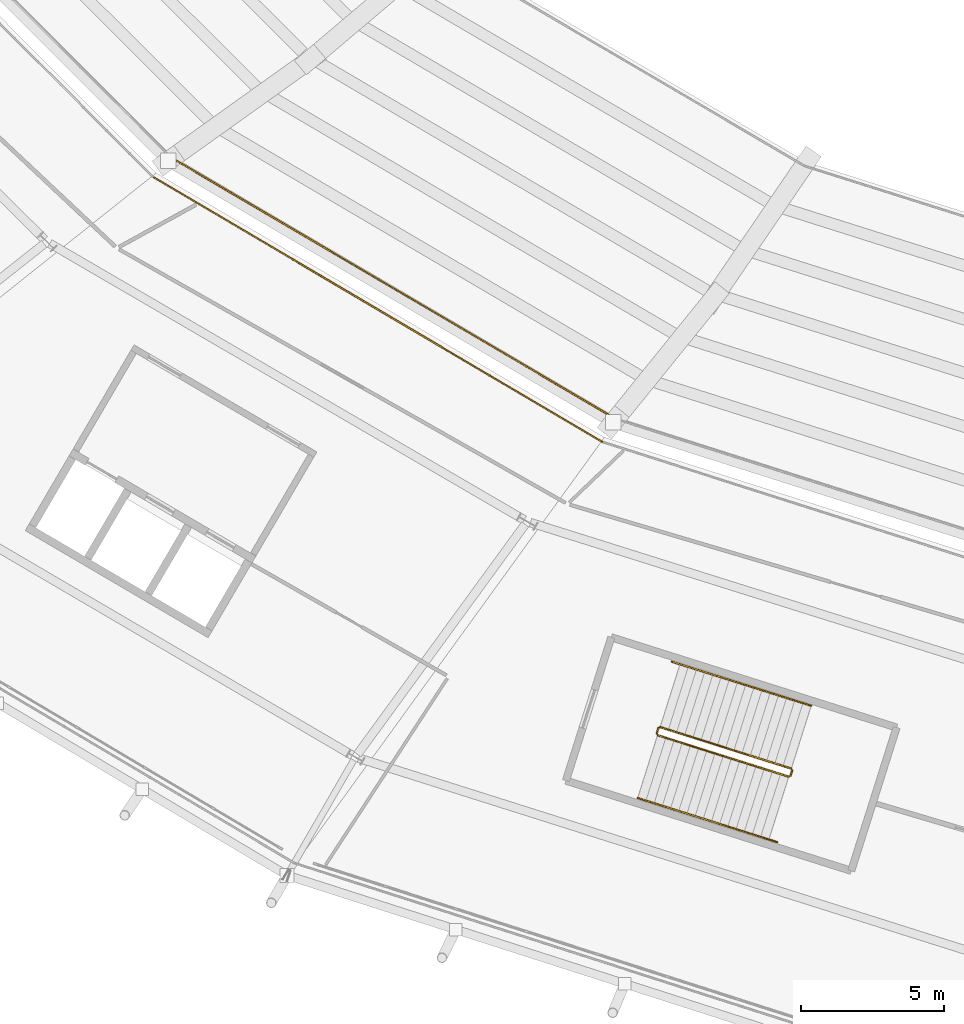
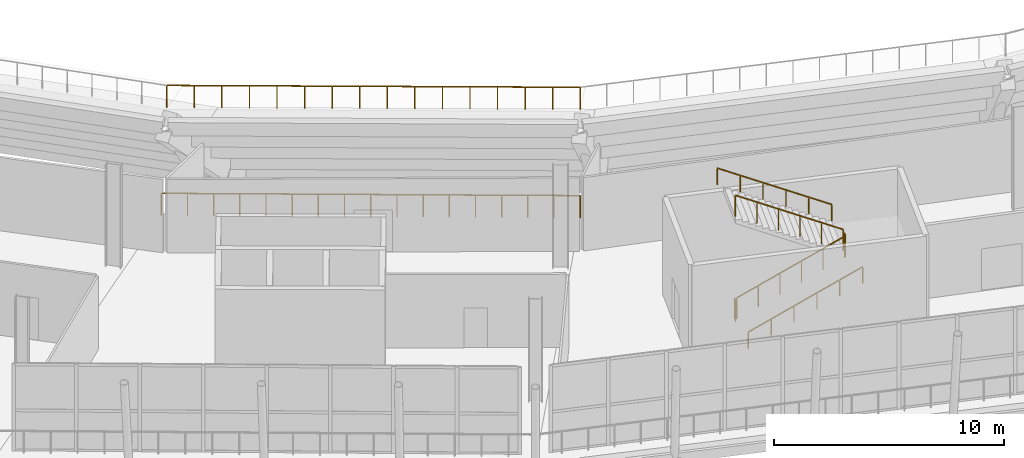
# One storey, part 109 of 126: 8 railings.
"""IFC4 building model written with IfcOpenShell, lengths in metres."""

from ifc_helpers import new_model, si_unit, direction, frame, origin, origin_2d, place, context, subcontext, project, spatial, rectangle, extrude, material, type_object, element, save


model = new_model("IFC4")

# Units and contexts
model_context = context("Model", 3, precision=1e-05, world=origin(), true_north=direction((0.0, 1.0)))
body_context = subcontext(model_context, "Body", "Model", "MODEL_VIEW")
ifc_project = project(units=[si_unit("LENGTHUNIT", "METRE"), si_unit("AREAUNIT", "SQUARE_METRE"), si_unit("VOLUMEUNIT", "CUBIC_METRE"), si_unit("PLANEANGLEUNIT", "RADIAN"), si_unit("MASSUNIT", "GRAM", prefix="KILO")], contexts=[model_context])

# Site, building, storey
site_placement = place(None, origin())
site = spatial("IfcSite", under=ifc_project, at=site_placement, CompositionType="ELEMENT")
building_placement = place(site_placement, origin())
building = spatial("IfcBuilding", under=site, at=building_placement, Name="Zlatoyarsky Gate Stadium", CompositionType="ELEMENT")
storey_placement = place(building_placement, frame((0.0, 0.0, 20.800048828125)))
storey = spatial("IfcBuildingStorey", under=building, at=storey_placement, Name="L04", CompositionType="ELEMENT", Elevation=20.800048828125)

# Railings
ifc_material_1 = material(Name="Powder-coated steel tubular guardrail", Category="steel")
railing_type_1 = type_object("IfcRailingType", Name="CONCOURSE SLAB EDGE GUARDRAIL 1200", PredefinedType="GUARDRAIL", material=ifc_material_1)
railing_1_placement = place(storey_placement, frame((58.072998046875, 39.447509765625, 5.099853515625)))
element("IfcRailing", 1, at=railing_1_placement, inside=storey, type_object=railing_type_1, Name="Upper bowl back guardrail 15", PredefinedType="GUARDRAIL", context=body_context, shape_type="SweptSolid", body=[
    extrude(rectangle(XDim=0.048095703125, YDim=0.048095703125, at=origin_2d()), frame((0.0, 0.0, 1.17578125), z_axis=(0.862050412529, -0.506822539217, 0.0), x_axis=(0.506822539217, 0.862050412529, 0.0)), (0.0, 0.0, 1.0), 17.982666015625),
    extrude(rectangle(XDim=0.0419921875, YDim=0.0419921875, at=origin_2d()), origin(), (0.0, 0.0, 1.0), 1.15185546875),
    extrude(rectangle(XDim=0.0419921875, YDim=0.0419921875, at=origin_2d()), frame((1.033447265625, -0.607666015625, 0.0)), (0.0, 0.0, 1.0), 1.15185546875),
    extrude(rectangle(XDim=0.0419921875, YDim=0.0419921875, at=origin_2d()), frame((2.06689453125, -1.215087890625, 0.0)), (0.0, 0.0, 1.0), 1.15185546875),
    extrude(rectangle(XDim=0.0419921875, YDim=0.0419921875, at=origin_2d()), frame((3.100341796875, -1.82275390625, 0.0)), (0.0, 0.0, 1.0), 1.15185546875),
    extrude(rectangle(XDim=0.0419921875, YDim=0.0419921875, at=origin_2d()), frame((4.1337890625, -2.430419921875, 0.0)), (0.0, 0.0, 1.0), 1.15185546875),
    extrude(rectangle(XDim=0.0419921875, YDim=0.0419921875, at=origin_2d()), frame((5.167236328125, -3.0380859375, 0.0)), (0.0, 0.0, 1.0), 1.15185546875),
    extrude(rectangle(XDim=0.0419921875, YDim=0.0419921875, at=origin_2d()), frame((6.20068359375, -3.6455078125, 0.0)), (0.0, 0.0, 1.0), 1.15185546875),
    extrude(rectangle(XDim=0.0419921875, YDim=0.0419921875, at=origin_2d()), frame((7.234130859375, -4.253173828125, 0.0)), (0.0, 0.0, 1.0), 1.15185546875),
    extrude(rectangle(XDim=0.0419921875, YDim=0.0419921875, at=origin_2d()), frame((8.267822265625, -4.86083984375, 0.0)), (0.0, 0.0, 1.0), 1.15185546875),
    extrude(rectangle(XDim=0.0419921875, YDim=0.0419921875, at=origin_2d()), frame((9.30126953125, -5.468505859375, 0.0)), (0.0, 0.0, 1.0), 1.15185546875),
    extrude(rectangle(XDim=0.0419921875, YDim=0.0419921875, at=origin_2d()), frame((10.334716796875, -6.075927734375, 0.0)), (0.0, 0.0, 1.0), 1.15185546875),
    extrude(rectangle(XDim=0.0419921875, YDim=0.0419921875, at=origin_2d()), frame((11.3681640625, -6.68359375, 0.0)), (0.0, 0.0, 1.0), 1.15185546875),
    extrude(rectangle(XDim=0.0419921875, YDim=0.0419921875, at=origin_2d()), frame((12.401611328125, -7.291259765625, 0.0)), (0.0, 0.0, 1.0), 1.15185546875),
    extrude(rectangle(XDim=0.0419921875, YDim=0.0419921875, at=origin_2d()), frame((13.43505859375, -7.89892578125, 0.0)), (0.0, 0.0, 1.0), 1.15185546875),
    extrude(rectangle(XDim=0.0419921875, YDim=0.0419921875, at=origin_2d()), frame((14.468505859375, -8.50634765625, 0.0)), (0.0, 0.0, 1.0), 1.15185546875),
    extrude(rectangle(XDim=0.0419921875, YDim=0.0419921875, at=origin_2d()), frame((15.501953125, -9.114013671875, 0.0)), (0.0, 0.0, 1.0), 1.15185546875),
])
railing_2_placement = place(storey_placement, frame((57.415283203125, 38.789794921875, 0.0)))
element("IfcRailing", 2, at=railing_2_placement, inside=storey, type_object=railing_type_1, Name="L04 inner bowl edge guardrail 15", PredefinedType="GUARDRAIL", context=body_context, shape_type="SweptSolid", body=[
    extrude(rectangle(XDim=0.048095703125, YDim=0.048095703125, at=origin_2d()), frame((0.0, 0.0, 1.17578125), z_axis=(0.861226688102, -0.508221006749, 0.0), x_axis=(0.508221006749, 0.861226688102, 0.0)), (0.0, 0.0, 1.0), 18.223876953125),
    extrude(rectangle(XDim=0.0419921875, YDim=0.0419921875, at=origin_2d()), origin(), (0.0, 0.0, 1.0), 1.15185546875),
    extrude(rectangle(XDim=0.0419921875, YDim=0.0419921875, at=origin_2d()), frame((0.98095703125, -0.578857421875, 0.0)), (0.0, 0.0, 1.0), 1.15185546875),
    extrude(rectangle(XDim=0.0419921875, YDim=0.0419921875, at=origin_2d()), frame((1.9619140625, -1.15771484375, 0.0)), (0.0, 0.0, 1.0), 1.15185546875),
    extrude(rectangle(XDim=0.0419921875, YDim=0.0419921875, at=origin_2d()), frame((2.94287109375, -1.736572265625, 0.0)), (0.0, 0.0, 1.0), 1.15185546875),
    extrude(rectangle(XDim=0.0419921875, YDim=0.0419921875, at=origin_2d()), frame((3.923828125, -2.3154296875, 0.0)), (0.0, 0.0, 1.0), 1.15185546875),
    extrude(rectangle(XDim=0.0419921875, YDim=0.0419921875, at=origin_2d()), frame((4.904541015625, -2.894287109375, 0.0)), (0.0, 0.0, 1.0), 1.15185546875),
    extrude(rectangle(XDim=0.0419921875, YDim=0.0419921875, at=origin_2d()), frame((5.885498046875, -3.47314453125, 0.0)), (0.0, 0.0, 1.0), 1.15185546875),
    extrude(rectangle(XDim=0.0419921875, YDim=0.0419921875, at=origin_2d()), frame((6.866455078125, -4.052001953125, 0.0)), (0.0, 0.0, 1.0), 1.15185546875),
    extrude(rectangle(XDim=0.0419921875, YDim=0.0419921875, at=origin_2d()), frame((7.847412109375, -4.630859375, 0.0)), (0.0, 0.0, 1.0), 1.15185546875),
    extrude(rectangle(XDim=0.0419921875, YDim=0.0419921875, at=origin_2d()), frame((8.828369140625, -5.209716796875, 0.0)), (0.0, 0.0, 1.0), 1.15185546875),
    extrude(rectangle(XDim=0.0419921875, YDim=0.0419921875, at=origin_2d()), frame((9.809326171875, -5.78857421875, 0.0)), (0.0, 0.0, 1.0), 1.15185546875),
    extrude(rectangle(XDim=0.0419921875, YDim=0.0419921875, at=origin_2d()), frame((10.790283203125, -6.367431640625, 0.0)), (0.0, 0.0, 1.0), 1.15185546875),
    extrude(rectangle(XDim=0.0419921875, YDim=0.0419921875, at=origin_2d()), frame((11.77099609375, -6.9462890625, 0.0)), (0.0, 0.0, 1.0), 1.15185546875),
    extrude(rectangle(XDim=0.0419921875, YDim=0.0419921875, at=origin_2d()), frame((12.751953125, -7.525146484375, 0.0)), (0.0, 0.0, 1.0), 1.15185546875),
    extrude(rectangle(XDim=0.0419921875, YDim=0.0419921875, at=origin_2d()), frame((13.73291015625, -8.10400390625, 0.0)), (0.0, 0.0, 1.0), 1.15185546875),
    extrude(rectangle(XDim=0.0419921875, YDim=0.0419921875, at=origin_2d()), frame((14.7138671875, -8.682861328125, 0.0)), (0.0, 0.0, 1.0), 1.15185546875),
    extrude(rectangle(XDim=0.0419921875, YDim=0.0419921875, at=origin_2d()), frame((15.69482421875, -9.26171875, 0.0)), (0.0, 0.0, 1.0), 1.15185546875),
])
ifc_material_2 = material(Name="Powder-coated steel stair guardrail", Category="steel")
railing_type_2 = type_object("IfcRailingType", Name="PAINTED STEEL STAIR WELL GUARDRAIL 1150", PredefinedType="GUARDRAIL", material=ifc_material_2)
railing_3_placement = place(storey_placement, frame((75.05517578125, 19.2763671875, 0.15869140625)))
element("IfcRailing", 3, at=railing_3_placement, inside=storey, type_object=railing_type_2, Name="ST-09 L04 stair guard 1", PredefinedType="GUARDRAIL", context=body_context, shape_type="SweptSolid", body=[
    extrude(rectangle(XDim=0.048095703125, YDim=0.048095703125, at=origin_2d()), frame((0.0, 0.0, 1.1259765625), z_axis=(0.842654327269, -0.266470439136, 0.467896558868), x_axis=(0.301511080938, 0.953462672616, 0.0)), (0.0, 0.0, 1.0), 5.43115234375),
    extrude(rectangle(XDim=0.0419921875, YDim=0.0419921875, at=origin_2d()), origin(), (0.0, 0.0, 1.0), 1.101806640625),
    extrude(rectangle(XDim=0.0419921875, YDim=0.0419921875, at=origin_2d()), frame((0.915283203125, -0.28955078125, 0.50830078125)), (0.0, 0.0, 1.0), 1.101806640625),
    extrude(rectangle(XDim=0.0419921875, YDim=0.0419921875, at=origin_2d()), frame((1.83056640625, -0.578857421875, 1.0166015625)), (0.0, 0.0, 1.0), 1.101806640625),
    extrude(rectangle(XDim=0.0419921875, YDim=0.0419921875, at=origin_2d()), frame((2.74609375, -0.868408203125, 1.524658203125)), (0.0, 0.0, 1.0), 1.101806640625),
    extrude(rectangle(XDim=0.0419921875, YDim=0.0419921875, at=origin_2d()), frame((3.661376953125, -1.15771484375, 2.032958984375)), (0.0, 0.0, 1.0), 1.101806640625),
    extrude(rectangle(XDim=0.0419921875, YDim=0.0419921875, at=origin_2d()), frame((4.57666015625, -1.447265625, 2.541259765625)), (0.0, 0.0, 1.0), 1.101806640625),
])
railing_4_placement = place(storey_placement, frame((79.694580078125, 17.86181640625, 2.699951171875)))
element("IfcRailing", 4, at=railing_4_placement, inside=storey, type_object=railing_type_2, Name="ST-09 L04 stair guard 2", PredefinedType="GUARDRAIL", context=body_context, shape_type="SweptSolid", body=[
    extrude(rectangle(XDim=0.048095703125, YDim=0.048095703125, at=origin_2d()), frame((0.0, 0.0, 1.1259765625), z_axis=(0.301540327315, 0.953453423615, 0.0), x_axis=(-0.953453423615, 0.301540327315, 0.0)), (0.0, 0.0, 1.0), 0.199951171875),
    extrude(rectangle(XDim=0.0419921875, YDim=0.0419921875, at=origin_2d()), origin(), (0.0, 0.0, 1.0), 1.101806640625),
    extrude(rectangle(XDim=0.0419921875, YDim=0.0419921875, at=origin_2d()), frame((0.060302734375, 0.190673828125, 0.0)), (0.0, 0.0, 1.0), 1.101806640625),
])
railing_5_placement = place(storey_placement, frame((79.722412109375, 18.115234375, 2.85888671875)))
element("IfcRailing", 5, at=railing_5_placement, inside=storey, type_object=railing_type_2, Name="ST-09 L04 stair guard 3", PredefinedType="GUARDRAIL", context=body_context, shape_type="SweptSolid", body=[
    extrude(rectangle(XDim=0.048095703125, YDim=0.048095703125, at=origin_2d()), frame((0.0, 0.0, 1.1259765625), z_axis=(-0.842672050096, 0.266476043581, 0.467861447637), x_axis=(-0.301511080938, -0.953462672616, 0.0)), (0.0, 0.0, 1.0), 5.43115234375),
    extrude(rectangle(XDim=0.0419921875, YDim=0.0419921875, at=origin_2d()), origin(), (0.0, 0.0, 1.0), 1.101806640625),
    extrude(rectangle(XDim=0.0419921875, YDim=0.0419921875, at=origin_2d()), frame((-0.915283203125, 0.28955078125, 0.50830078125)), (0.0, 0.0, 1.0), 1.101806640625),
    extrude(rectangle(XDim=0.0419921875, YDim=0.0419921875, at=origin_2d()), frame((-1.83056640625, 0.578857421875, 1.016357421875)), (0.0, 0.0, 1.0), 1.101806640625),
    extrude(rectangle(XDim=0.0419921875, YDim=0.0419921875, at=origin_2d()), frame((-2.74609375, 0.868408203125, 1.524658203125)), (0.0, 0.0, 1.0), 1.101806640625),
    extrude(rectangle(XDim=0.0419921875, YDim=0.0419921875, at=origin_2d()), frame((-3.661376953125, 1.15771484375, 2.03271484375)), (0.0, 0.0, 1.0), 1.101806640625),
    extrude(rectangle(XDim=0.0419921875, YDim=0.0419921875, at=origin_2d()), frame((-4.57666015625, 1.447265625, 2.541015625)), (0.0, 0.0, 1.0), 1.101806640625),
])
railing_6_placement = place(storey_placement, frame((75.022705078125, 19.339111328125, 0.0)))
element("IfcRailing", 6, at=railing_6_placement, inside=storey, type_object=railing_type_2, Name="ST-09 L04 stair guard 4", PredefinedType="GUARDRAIL", context=body_context, shape_type="SweptSolid", body=[
    extrude(rectangle(XDim=0.048095703125, YDim=0.048095703125, at=origin_2d()), frame((0.0, 0.0, 1.1259765625), z_axis=(0.301540327315, 0.953453423615, 0.0), x_axis=(-0.953453423615, 0.301540327315, 0.0)), (0.0, 0.0, 1.0), 0.199951171875),
    extrude(rectangle(XDim=0.0419921875, YDim=0.0419921875, at=origin_2d()), origin(), (0.0, 0.0, 1.0), 1.101806640625),
    extrude(rectangle(XDim=0.0419921875, YDim=0.0419921875, at=origin_2d()), frame((0.060302734375, 0.190673828125, 0.0)), (0.0, 0.0, 1.0), 1.101806640625),
])
ifc_material_3 = material(Name="Brushed stainless steel 316 handrail", Category="steel")
railing_type_3 = type_object("IfcRailingType", Name="STAINLESS STEEL TUBULAR HANDRAIL 900", PredefinedType="HANDRAIL", material=ifc_material_3)
railing_7_placement = place(storey_placement, frame((74.36181640625, 17.08349609375, 0.162841796875)))
element("IfcRailing", 7, at=railing_7_placement, inside=storey, type_object=railing_type_3, Name="ST-09 L04 stair handrail 1", PredefinedType="HANDRAIL", context=body_context, shape_type="SweptSolid", body=[
    extrude(rectangle(XDim=0.048095703125, YDim=0.048095703125, at=origin_2d()), frame((0.0, 0.0, 0.8759765625), z_axis=(0.842651293376, -0.266498995681, 0.46788575857), x_axis=(0.301541441746, 0.953453071163, 0.0)), (0.0, 0.0, 1.0), 5.7705078125),
    extrude(rectangle(XDim=0.0419921875, YDim=0.0419921875, at=origin_2d()), origin(), (0.0, 0.0, 1.0), 0.851806640625),
    extrude(rectangle(XDim=0.0419921875, YDim=0.0419921875, at=origin_2d()), frame((0.972412109375, -0.3076171875, 0.5400390625)), (0.0, 0.0, 1.0), 0.851806640625),
    extrude(rectangle(XDim=0.0419921875, YDim=0.0419921875, at=origin_2d()), frame((1.945068359375, -0.615234375, 1.080078125)), (0.0, 0.0, 1.0), 0.851806640625),
    extrude(rectangle(XDim=0.0419921875, YDim=0.0419921875, at=origin_2d()), frame((2.91748046875, -0.922607421875, 1.619873046875)), (0.0, 0.0, 1.0), 0.851806640625),
    extrude(rectangle(XDim=0.0419921875, YDim=0.0419921875, at=origin_2d()), frame((3.89013671875, -1.230224609375, 2.159912109375)), (0.0, 0.0, 1.0), 0.851806640625),
    extrude(rectangle(XDim=0.0419921875, YDim=0.0419921875, at=origin_2d()), frame((4.862548828125, -1.537841796875, 2.699951171875)), (0.0, 0.0, 1.0), 0.851806640625),
])
railing_8_placement = place(storey_placement, frame((80.415771484375, 20.30810546875, 2.86279296875)))
element("IfcRailing", 8, at=railing_8_placement, inside=storey, type_object=railing_type_3, Name="ST-09 L04 stair handrail 2", PredefinedType="HANDRAIL", context=body_context, shape_type="SweptSolid", body=[
    extrude(rectangle(XDim=0.048095703125, YDim=0.048095703125, at=origin_2d()), frame((0.0, 0.0, 0.8759765625), z_axis=(-0.842651293376, 0.266498995681, 0.46788575857), x_axis=(-0.301541441746, -0.953453071163, 0.0)), (0.0, 0.0, 1.0), 5.7705078125),
    extrude(rectangle(XDim=0.0419921875, YDim=0.0419921875, at=origin_2d()), origin(), (0.0, 0.0, 1.0), 0.851806640625),
    extrude(rectangle(XDim=0.0419921875, YDim=0.0419921875, at=origin_2d()), frame((-0.972412109375, 0.3076171875, 0.5400390625)), (0.0, 0.0, 1.0), 0.851806640625),
    extrude(rectangle(XDim=0.0419921875, YDim=0.0419921875, at=origin_2d()), frame((-1.945068359375, 0.615234375, 1.080078125)), (0.0, 0.0, 1.0), 0.851806640625),
    extrude(rectangle(XDim=0.0419921875, YDim=0.0419921875, at=origin_2d()), frame((-2.91748046875, 0.922607421875, 1.619873046875)), (0.0, 0.0, 1.0), 0.851806640625),
    extrude(rectangle(XDim=0.0419921875, YDim=0.0419921875, at=origin_2d()), frame((-3.89013671875, 1.230224609375, 2.159912109375)), (0.0, 0.0, 1.0), 0.851806640625),
    extrude(rectangle(XDim=0.0419921875, YDim=0.0419921875, at=origin_2d()), frame((-4.862548828125, 1.537841796875, 2.699951171875)), (0.0, 0.0, 1.0), 0.851806640625),
])

save(model, "model.ifc")
